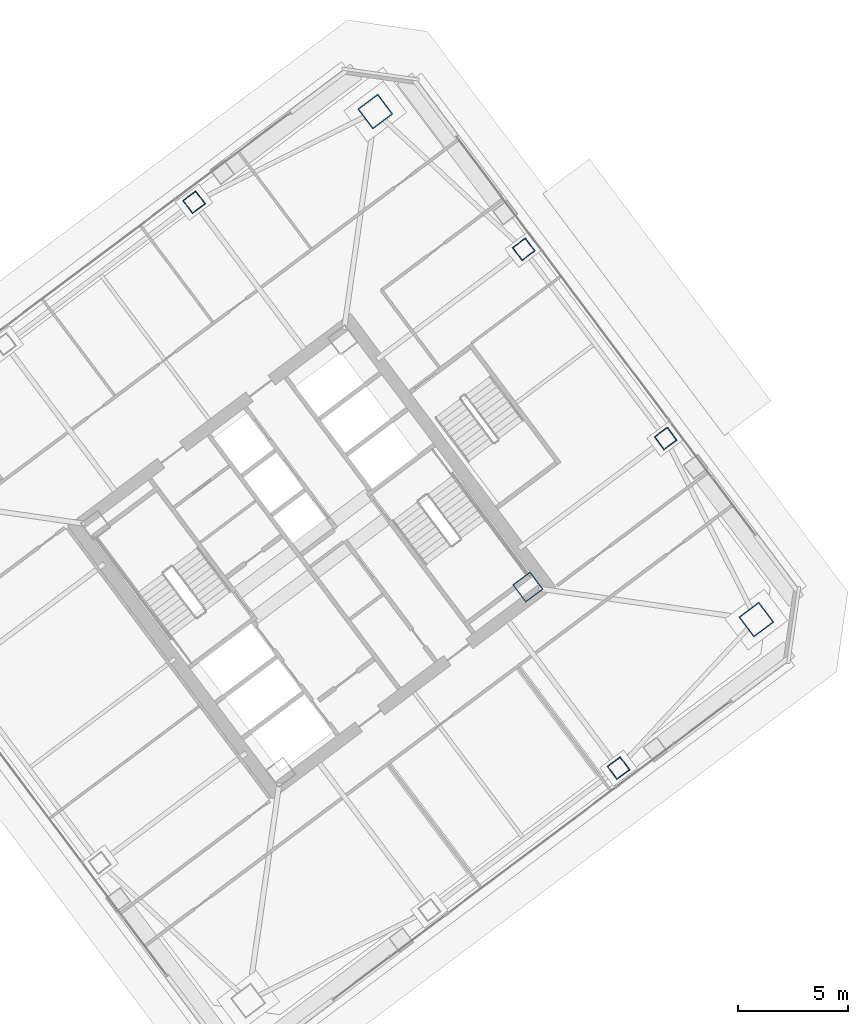
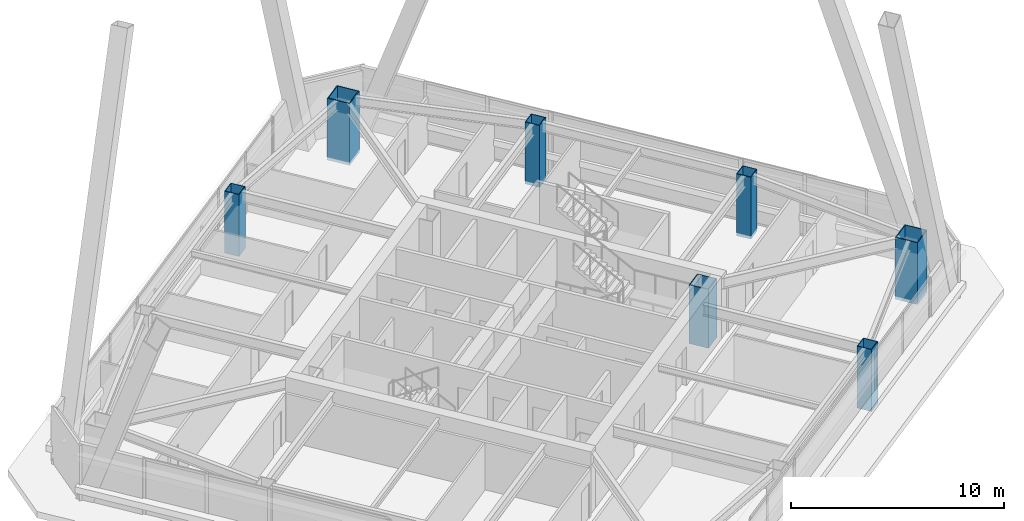
# One storey, part 2 of 65: 7 columns.
"""IFC4 building model written with IfcOpenShell, lengths in metres."""

from ifc_helpers import new_model, si_unit, direction, frame, origin, origin_2d, place, context, subcontext, project, spatial, hollow_rectangle, extrude, material, material_profile, profile_set, type_object, element, save


model = new_model("IFC4")

# Units and contexts
model_context = context("Model", 3, precision=1e-05, world=origin(), true_north=direction((0.0, 1.0)))
body_context = subcontext(model_context, "Body", "Model", "MODEL_VIEW")
ifc_project = project(units=[si_unit("LENGTHUNIT", "METRE"), si_unit("AREAUNIT", "SQUARE_METRE"), si_unit("VOLUMEUNIT", "CUBIC_METRE"), si_unit("PLANEANGLEUNIT", "RADIAN"), si_unit("MASSUNIT", "GRAM", prefix="KILO")], contexts=[model_context])

# Site, building, storey
site_placement = place(None, origin())
site = spatial("IfcSite", under=ifc_project, at=site_placement, CompositionType="ELEMENT")
building_placement = place(site_placement, origin())
building = spatial("IfcBuilding", under=site, at=building_placement, Name="Tashvorn Skyway Center", CompositionType="ELEMENT")
storey_placement = place(building_placement, frame((0.0, 0.0, 157.0)))
storey = spatial("IfcBuildingStorey", under=building, at=storey_placement, Name="L42", CompositionType="ELEMENT", Elevation=157.0)

# Columns
ifc_material = material(Name="Steel ASTM A572 Grade 50", Category="steel")
ifc_material_profile_1 = material_profile(ifc_material, hollow_rectangle(XDim=1.0, YDim=1.0, WallThickness=0.0400390625, at=origin_2d()), Name="BOX1000x1000x40")
ifc_profile_set_1 = profile_set([ifc_material_profile_1], Name="Steel ASTM A572 Grade 50")
column_type_1 = type_object("IfcColumnType", Name="COL-BOX1000x1000x40", PredefinedType="COLUMN", material=ifc_profile_set_1)
column_placement = place(storey_placement, frame((123.8701171875, 30.590087890625, 0.0), z_axis=(0.0, 0.0, 1.0), x_axis=(0.799999996291, 0.600000004945, 0.0)))
element("IfcColumn", 1, at=column_placement, inside=storey, type_object=column_type_1, Name="Tower 2 L42 Core Corner Column CC-SE", PredefinedType="COLUMN", context=body_context, shape_type="SweptSolid", body=[
    extrude(hollow_rectangle(XDim=1.0, YDim=1.0, WallThickness=0.0400390625, at=origin_2d()), origin(), (0.0, 0.0, 1.0), 3.3701171875),
])
ifc_material_profile_2 = material_profile(ifc_material, hollow_rectangle(XDim=1.14990234375, YDim=1.14990234375, WallThickness=0.044921875, at=origin_2d()), Name="BOX1150x1150x45")
ifc_profile_set_2 = profile_set([ifc_material_profile_2], Name="Steel ASTM A572 Grade 50")
column_type_2 = type_object("IfcColumnType", Name="COL-BOX1150x1150x45", PredefinedType="COLUMN", material=ifc_profile_set_2)
for number, where, z_axis, x_axis, name in (
    (2, (134.300048828125, 29.10009765625, -0.175048828125), (0.0, 0.0, 1.0), (0.799999996291, 0.600000004945, 0.0), "Tower 2 L42 Mega-Column MC-SE"),
    (3, (116.89990234375, 52.300048828125, -0.175048828125), (0.0, 0.0, 1.0), (0.799999996291, 0.600000004945, 0.0), "Tower 2 L42 Mega-Column MC-NE"),
):
    element("IfcColumn", number, at=place(storey_placement, frame(where, z_axis=z_axis, x_axis=x_axis)), inside=storey, type_object=column_type_2, Name=name, PredefinedType="COLUMN", context=body_context, shape_type="SweptSolid", body=[
        extrude(hollow_rectangle(XDim=1.14990234375, YDim=1.14990234375, WallThickness=0.044921875, at=origin_2d()), origin(), (0.0, 0.0, 1.0), 3.545166015625),
    ])
ifc_material_profile_3 = material_profile(ifc_material, hollow_rectangle(XDim=0.75, YDim=0.75, WallThickness=0.031982421875, at=origin_2d()), Name="BOX750x750x32")
ifc_profile_set_3 = profile_set([ifc_material_profile_3], Name="Steel ASTM A572 Grade 50")
column_type_3 = type_object("IfcColumnType", Name="COL-BOX750x750x32", PredefinedType="COLUMN", material=ifc_profile_set_3)
for number, where, z_axis, x_axis, name in (
    (4, (128.010009765625, 22.320068359375, -0.175048828125), (0.0, 0.0, 1.0), (0.799999996291, 0.600000004945, 0.0), "Tower 2 L42 Perimeter Column FC-S2"),
    (5, (130.159912109375, 37.3701171875, -0.175048828125), (0.0, 0.0, 1.0), (0.799999996291, 0.600000004945, 0.0), "Tower 2 L42 Perimeter Column FC-E1"),
    (6, (123.679931640625, 46.010009765625, -0.175048828125), (0.0, 0.0, 1.0), (0.799999996291, 0.600000004945, 0.0), "Tower 2 L42 Perimeter Column FC-E2"),
    (7, (108.6298828125, 48.159912109375, -0.175048828125), (0.0, 0.0, 1.0), (0.799999996291, 0.600000004945, 0.0), "Tower 2 L42 Perimeter Column FC-N1"),
):
    element("IfcColumn", number, at=place(storey_placement, frame(where, z_axis=z_axis, x_axis=x_axis)), inside=storey, type_object=column_type_3, Name=name, PredefinedType="COLUMN", context=body_context, shape_type="SweptSolid", body=[
        extrude(hollow_rectangle(XDim=0.75, YDim=0.75, WallThickness=0.031982421875, at=origin_2d()), origin(), (0.0, 0.0, 1.0), 3.545166015625),
    ])

save(model, "model.ifc")
